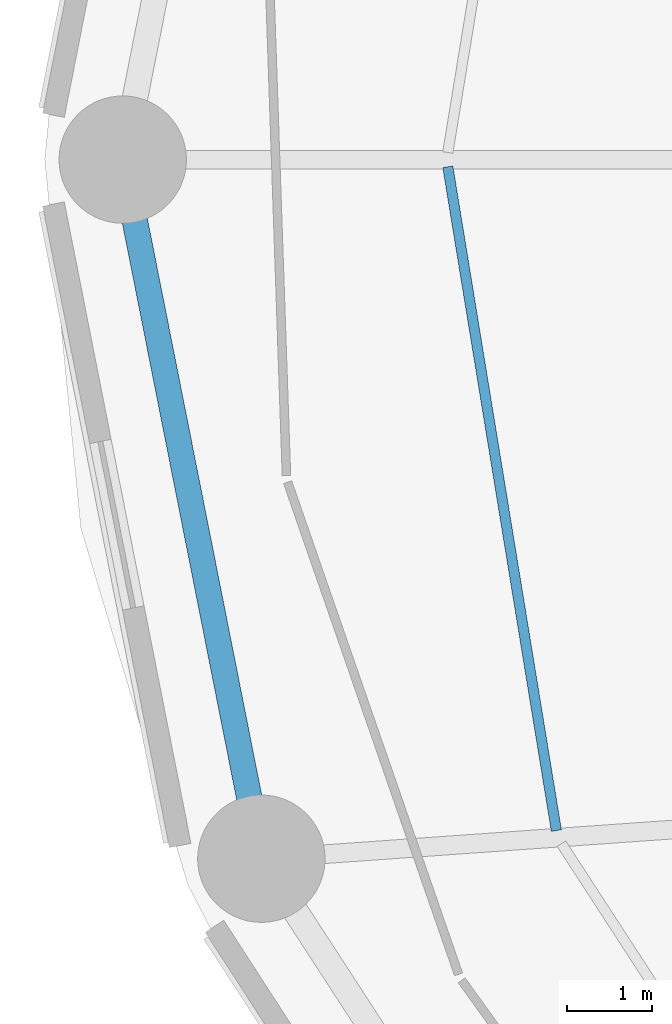
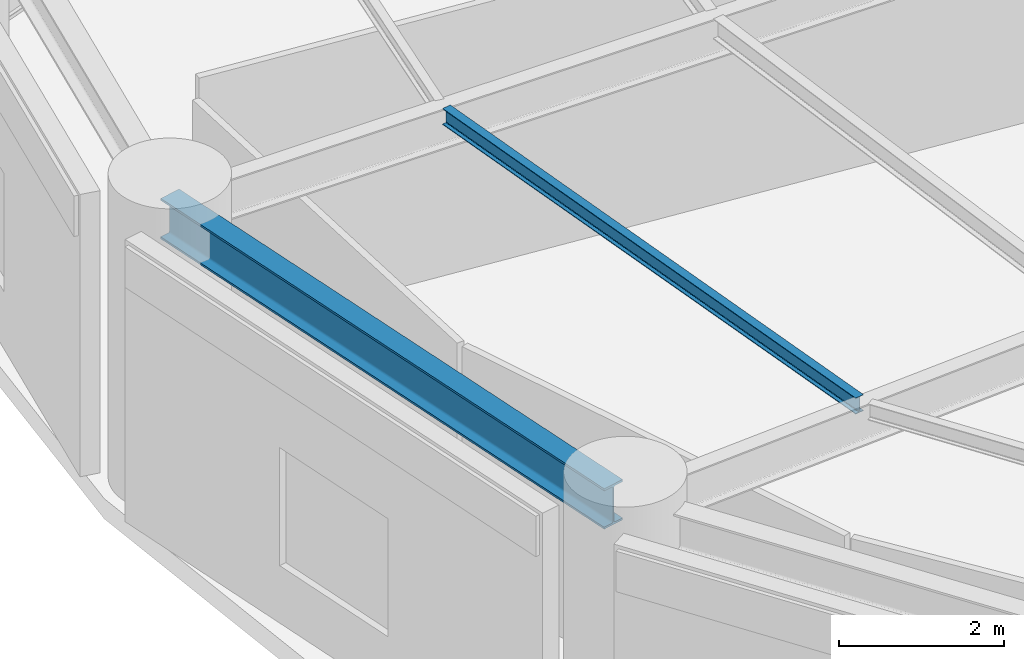
# One storey, part 13 of 55: 2 beams.
"""IFC4 building model written with IfcOpenShell, lengths in metres."""

import ifcopenshell
import ifcopenshell.guid

model = None  # the IFC model being written
_history = None  # IfcOwnerHistory: only IFC2X3 demands one
_inside = {}  # id of a spatial element -> (the spatial element, [elements in it])
_under = {}  # id of a project, library or spatial element -> (it, [spatial elements below it])
_declared = {}  # id of a project -> (the project, [libraries it declares])
_typed = {}  # id of a type object -> (the type object, [elements of that type])
_made_of = {}  # id of a material, layer set ... -> (it, [elements and type objects made of it])


def new_model(schema):
    """Start an empty IFC model of exactly this schema.

    Asked for "IFC4X3", IfcOpenShell would pick the latest addendum, in which some entities
    have other attributes; the version numbers below select the first issue.
    IFC2X3 requires an IfcOwnerHistory on every rooted entity: one is made here for all.
    """
    global model, _history
    if schema == "IFC4X3":
        model = ifcopenshell.file(schema_version=(4, 3, 0, 0))
    else:
        model = ifcopenshell.file(schema=schema)
    _inside.clear()
    _under.clear()
    _declared.clear()
    _typed.clear()
    _made_of.clear()
    _history = None
    if model.schema == "IFC2X3":
        org = make("IfcOrganization", Name="unknown")
        user = make(
            "IfcPersonAndOrganization",
            ThePerson=make("IfcPerson", FamilyName="unknown"),
            TheOrganization=org,
        )
        app = make(
            "IfcApplication",
            ApplicationDeveloper=org,
            Version="unknown",
            ApplicationFullName="unknown",
            ApplicationIdentifier="unknown",
        )
        _history = make(
            "IfcOwnerHistory",
            OwningUser=user,
            OwningApplication=app,
            ChangeAction="ADDED",
            CreationDate=0,
        )
    return model


def make(cls, **values):
    """One entity of the class cls with the attributes given. An attribute that is None is left unset."""
    return model.create_entity(
        cls, **{name: value for name, value in values.items() if value is not None}
    )


def rooted(cls, **values):
    """An entity with a GlobalId (a new one), such as an element, a storey or a relation."""
    return make(cls, GlobalId=ifcopenshell.guid.new(), OwnerHistory=_history, **values)


def si_unit(unit_type, name, prefix=None):
    """IfcSIUnit, for example si_unit("LENGTHUNIT", "METRE", prefix="MILLI")."""
    return make("IfcSIUnit", UnitType=unit_type, Prefix=prefix, Name=name)


def assignment(units):
    """IfcUnitAssignment: the units of a project."""
    return None if units is None else make("IfcUnitAssignment", Units=units)


def point(xyz):
    """IfcCartesianPoint."""
    return None if xyz is None else make("IfcCartesianPoint", Coordinates=xyz)


def direction(xyz):
    """IfcDirection."""
    return None if xyz is None else make("IfcDirection", DirectionRatios=xyz)


def frame(location, z_axis=None, x_axis=None):
    """IfcAxis2Placement3D, a coordinate frame: its origin and axes. An axis left out is left unset."""
    return make(
        "IfcAxis2Placement3D",
        Location=point(location),
        Axis=direction(z_axis),
        RefDirection=direction(x_axis),
    )


def frame_2d(location, x_axis=None):
    """IfcAxis2Placement2D, a coordinate frame in the plane: its origin and x axis."""
    return make(
        "IfcAxis2Placement2D", Location=point(location), RefDirection=direction(x_axis)
    )


def origin():
    """The frame at (0, 0, 0) with its axes left unset."""
    return frame((0.0, 0.0, 0.0))


def origin_2d():
    """The frame at (0, 0) in the plane with its x axis left unset."""
    return frame_2d((0.0, 0.0))


def place(relative_to, where):
    """IfcLocalPlacement: puts the frame where relative to a parent placement (None: the world)."""
    return make(
        "IfcLocalPlacement", PlacementRelTo=relative_to, RelativePlacement=where
    )


def context(
    kind, dimensions, precision=None, world=None, true_north=None, identifier=None
):
    """IfcGeometricRepresentationContext, for example the 3D "Model" context."""
    return make(
        "IfcGeometricRepresentationContext",
        ContextIdentifier=identifier,
        ContextType=kind,
        CoordinateSpaceDimension=dimensions,
        Precision=precision,
        WorldCoordinateSystem=world,
        TrueNorth=true_north,
    )


def subcontext(parent, identifier, kind, view, scale=None):
    """IfcGeometricRepresentationSubContext, for example "Body" below "Model"."""
    return make(
        "IfcGeometricRepresentationSubContext",
        ContextIdentifier=identifier,
        ContextType=kind,
        ParentContext=parent,
        TargetScale=scale,
        TargetView=view,
    )


def project(units=None, contexts=None):
    """IfcProject with its units and contexts."""
    return rooted(
        "IfcProject",
        Name="project",
        RepresentationContexts=contexts,
        UnitsInContext=assignment(units),
    )


def spatial(cls, under=None, at=None, **own):
    """A site, building, storey or space (cls), placed at a placement, below another one or the project."""
    s = rooted(cls, ObjectPlacement=at, **own)
    if under is not None:
        _under.setdefault(under.id(), (under, []))[1].append(s)
    return s


def profile(cls, at=None, kind="AREA", **sizes):
    """A parametric profile (cls). Its sizes go by their IFC names, for example OverallWidth=200.0."""
    return make(cls, ProfileType=kind, Position=at, **sizes)


def i_section(**sizes):
    """IfcIShapeProfileDef."""
    return profile("IfcIShapeProfileDef", **sizes)


def extrude(swept, where, along, depth):
    """IfcExtrudedAreaSolid: the profile swept, set in the frame where, extruded along a direction by depth."""
    return make(
        "IfcExtrudedAreaSolid",
        SweptArea=swept,
        Position=where,
        ExtrudedDirection=direction(along),
        Depth=depth,
    )


def shape(context_of_items, identifier, shape_type, items):
    """IfcShapeRepresentation: the items that make up one representation, for example the "Body"."""
    return make(
        "IfcShapeRepresentation",
        ContextOfItems=context_of_items,
        RepresentationIdentifier=identifier,
        RepresentationType=shape_type,
        Items=items,
    )


def material(Name=None, Category=None):
    """IfcMaterial."""
    return make("IfcMaterial", Name=Name, Category=Category)


def material_profile(
    of_material, cross_section, Name=None, Category=None, Priority=None
):
    """IfcMaterialProfile: a cross section and its material."""
    return make(
        "IfcMaterialProfile",
        Name=Name,
        Material=of_material,
        Profile=cross_section,
        Priority=Priority,
        Category=Category,
    )


def profile_set(profiles, Name=None, composite=None):
    """IfcMaterialProfileSet."""
    return make(
        "IfcMaterialProfileSet",
        Name=Name,
        MaterialProfiles=profiles,
        CompositeProfile=composite,
    )


def made_of(thing, what):
    """Note that an element or type object is made of a material, layer set ...; save() writes the relation."""
    if what is not None:
        _made_of.setdefault(what.id(), (what, []))[1].append(thing)
    return thing


def type_object(cls, material=None, **own):
    """A type object (cls), such as IfcWallType, which elements share."""
    return made_of(rooted(cls, **own), material)


def element(
    cls,
    number,
    at=None,
    inside=None,
    cuts=None,
    type_object=None,
    material=None,
    context=None,
    identifier="Body",
    shape_type=None,
    held_by="IfcProductDefinitionShape",
    body=None,
    shapes=None,
    **own,
):
    """One element of the class cls, such as IfcWall. Its Tag is "e" and its number.

    at: its placement. inside: the storey or other place that contains it. cuts: it is an
    opening in that element (IfcRelVoidsElement). A single representation is given by context,
    identifier, shape_type and body (its items); several are given by shapes. held_by: the class
    of the entity that holds the representations. save() writes the other relations.
    """
    e = rooted(cls, Tag="e%d" % number, ObjectPlacement=at, **own)
    if body is not None:
        shapes = [shape(context, identifier, shape_type, body)]
    if shapes is not None:
        e.Representation = make(held_by, Representations=shapes)
    if inside is not None:
        _inside.setdefault(inside.id(), (inside, []))[1].append(e)
    if cuts is not None:
        rooted(
            "IfcRelVoidsElement", RelatingBuildingElement=cuts, RelatedOpeningElement=e
        )
    if type_object is not None:
        _typed.setdefault(type_object.id(), (type_object, []))[1].append(e)
    return made_of(e, material)


def aggregate(whole, parts):
    """IfcRelAggregates: a whole, such as a stair, and the parts it consists of."""
    return rooted("IfcRelAggregates", RelatingObject=whole, RelatedObjects=parts)


def save(model, path):
    """Write the relations noted so far, then the file.

    IfcRelAggregates (storeys below a building ...), IfcRelContainedInSpatialStructure (elements
    in a storey), IfcRelDefinesByType, IfcRelAssociatesMaterial and IfcRelDeclares: one each for
    every whole, place, type object, material and project.
    """
    for whole, parts in _under.values():
        aggregate(whole, parts)
    for where, things in _inside.values():
        rooted(
            "IfcRelContainedInSpatialStructure",
            RelatedElements=things,
            RelatingStructure=where,
        )
    for kind, things in _typed.values():
        rooted("IfcRelDefinesByType", RelatedObjects=things, RelatingType=kind)
    for what, things in _made_of.values():
        rooted("IfcRelAssociatesMaterial", RelatedObjects=things, RelatingMaterial=what)
    for by, libraries in _declared.values():
        rooted("IfcRelDeclares", RelatingContext=by, RelatedDefinitions=libraries)
    model.write(path)


model = new_model("IFC4")

# Units and contexts
model_context = context("Model", 3, precision=1e-05, world=origin(), true_north=direction((0.0, 1.0)))
body_context = subcontext(model_context, "Body", "Model", "MODEL_VIEW")
ifc_project = project(units=[si_unit("LENGTHUNIT", "METRE"), si_unit("AREAUNIT", "SQUARE_METRE"), si_unit("VOLUMEUNIT", "CUBIC_METRE"), si_unit("PLANEANGLEUNIT", "RADIAN"), si_unit("MASSUNIT", "GRAM", prefix="KILO")], contexts=[model_context])

# Site, building, storey
site_placement = place(None, origin())
site = spatial("IfcSite", under=ifc_project, at=site_placement, CompositionType="ELEMENT")
building_placement = place(site_placement, origin())
building = spatial("IfcBuilding", under=site, at=building_placement, Name="Kelanora Arch Commons", CompositionType="ELEMENT")
storey_placement = place(building_placement, frame((0.0, 0.0, 4.5)))
storey = spatial("IfcBuildingStorey", under=building, at=storey_placement, Name="L01", CompositionType="ELEMENT", Elevation=4.5)

# Beams
ifc_material = material(Name="Steel S355", Category="steel")
ifc_material_profile_1 = material_profile(ifc_material, i_section(OverallWidth=0.1201171875, OverallDepth=0.239990234375, WebThickness=0.006103515625, FlangeThickness=0.009765625, FilletRadius=0.014892578125, at=origin_2d()), Name="IPE240")
ifc_profile_set_1 = profile_set([ifc_material_profile_1], Name="Steel S355")
beam_type_1 = type_object("IfcBeamType", Name="BM-JST-02", PredefinedType="JOIST", material=ifc_profile_set_1)
beam_1_placement = place(storey_placement, frame((50.749755859375, 57.916015625, 4.080078125), z_axis=(0.161400737199, -0.986888951216, 0.0), x_axis=(0.986888951216, 0.161400737199, 0.0)))
element("IfcBeam", 1, at=beam_1_placement, inside=storey, type_object=beam_type_1, Name="Secondary Chord Joist BJC-18 L01", PredefinedType="JOIST", context=body_context, shape_type="SweptSolid", body=[
    extrude(i_section(OverallWidth=0.1201171875, OverallDepth=0.239990234375, WebThickness=0.006103515625, FlangeThickness=0.009765625, FilletRadius=0.014892578125, at=origin_2d()), origin(), (0.0, 0.0, 1.0), 7.9248046875),
])
ifc_material_profile_2 = material_profile(ifc_material, i_section(OverallWidth=0.300048828125, OverallDepth=0.60009765625, WebThickness=0.015380859375, FlangeThickness=0.030029296875, FilletRadius=0.027099609375, at=origin_2d()), Name="HEB600")
ifc_profile_set_2 = profile_set([ifc_material_profile_2], Name="Steel S355")
beam_type_2 = type_object("IfcBeamType", Name="BM-SPN-Z1", PredefinedType="SPANDREL", material=ifc_profile_set_2)
beam_2_placement = place(storey_placement, frame((46.919921875, 58.0, 3.89990234375), z_axis=(0.194508025468, -0.980900926714, 0.0), x_axis=(0.980900926714, 0.194508025468, 0.0)))
element("IfcBeam", 2, at=beam_2_placement, inside=storey, type_object=beam_type_2, Name="Perimeter Spandrel Beam BS-18 L01", PredefinedType="SPANDREL", context=body_context, shape_type="SweptSolid", body=[
    extrude(i_section(OverallWidth=0.300048828125, OverallDepth=0.60009765625, WebThickness=0.015380859375, FlangeThickness=0.030029296875, FilletRadius=0.027099609375, at=origin_2d()), origin(), (0.0, 0.0, 1.0), 8.17626953125),
])

save(model, "model.ifc")
